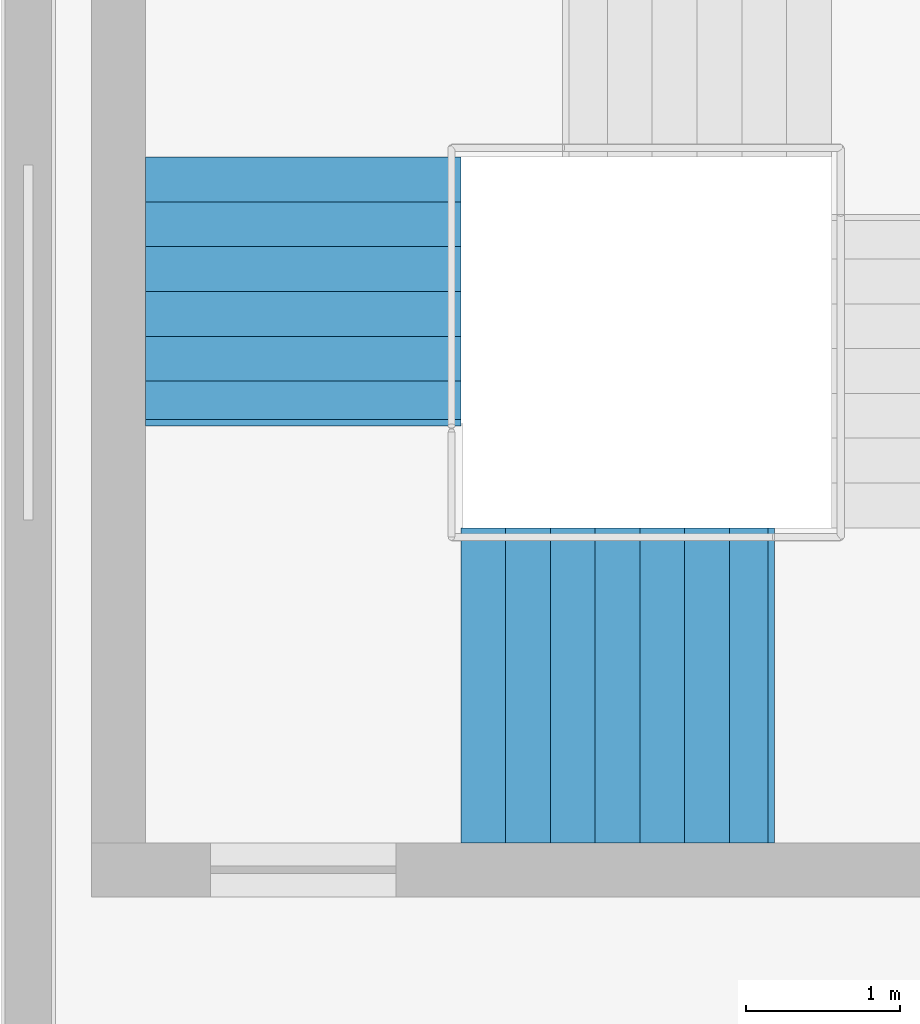
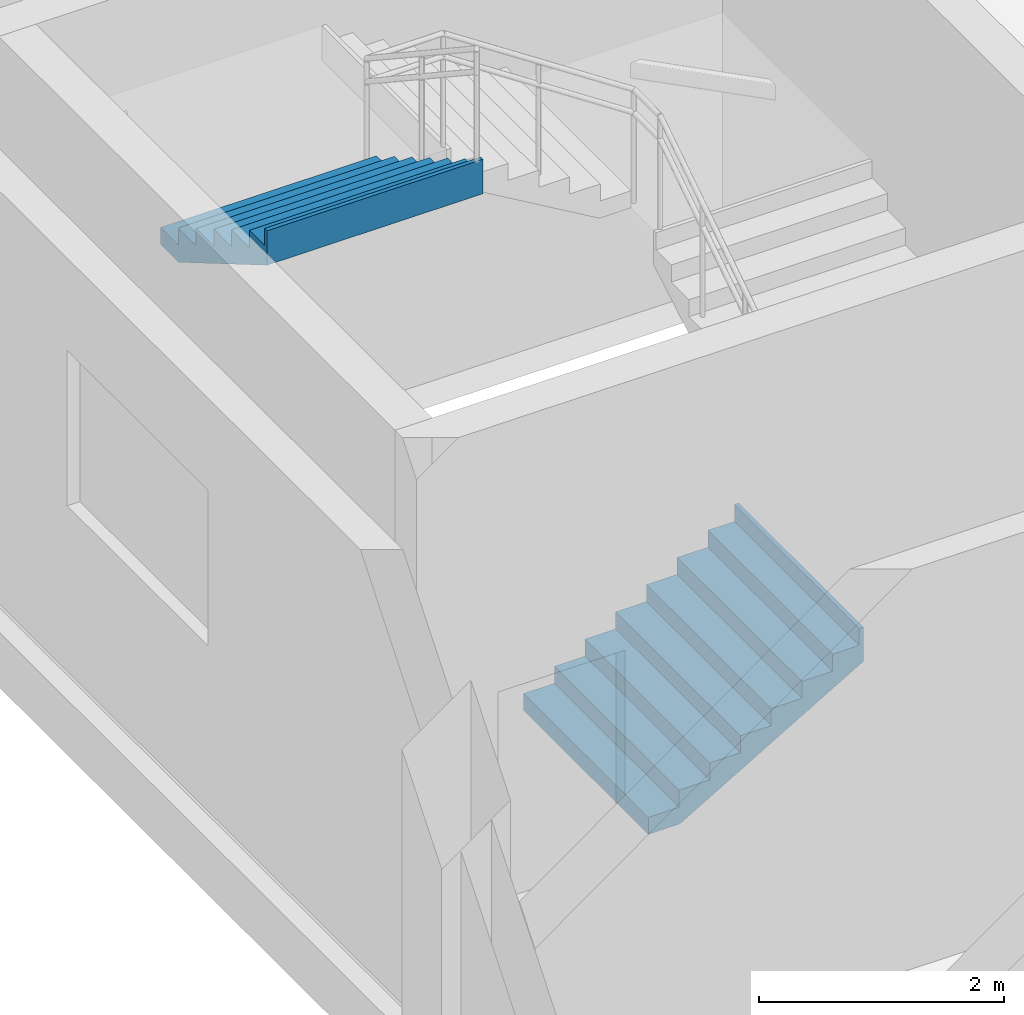
# One storey, part 55 of 66: 2 stair flights, 1 element without a shape of its own.
"""IFC4 building model written with IfcOpenShell, lengths in metres."""

from ifc_helpers import new_model, si_unit, direction, frame, origin, place, context, subcontext, project, spatial, triangles, material, type_object, element, aggregate, save


model = new_model("IFC4")

# Units and contexts
model_context = context("Model", 3, precision=1e-05, world=origin(), true_north=direction((0.0, 1.0)))
body_context = subcontext(model_context, "Body", "Model", "MODEL_VIEW")
ifc_project = project(units=[si_unit("LENGTHUNIT", "METRE"), si_unit("AREAUNIT", "SQUARE_METRE"), si_unit("VOLUMEUNIT", "CUBIC_METRE"), si_unit("PLANEANGLEUNIT", "RADIAN"), si_unit("MASSUNIT", "GRAM", prefix="KILO")], contexts=[model_context])

# Site, building, storey
site_placement = place(None, origin())
site = spatial("IfcSite", under=ifc_project, at=site_placement, CompositionType="ELEMENT")
building_placement = place(site_placement, origin())
building = spatial("IfcBuilding", under=site, at=building_placement, Name="Sillaruma Civic Art Gallery", CompositionType="ELEMENT")
storey_placement = place(building_placement, frame((0.0, 0.0, 57.1201171875)))
storey = spatial("IfcBuildingStorey", under=building, at=storey_placement, Name="L11", CompositionType="ELEMENT", Elevation=57.1201171875)

# Stair, stair flights
ifc_material = material(Name="Concrete H35 (35 MPa)", Category="concrete")
stair_type = type_object("IfcStairType", Name="STR-4F-30", PredefinedType="USERDEFINED", material=ifc_material)
stair_placement = place(storey_placement, origin())
stair = element("IfcStair", 1, at=stair_placement, inside=storey, type_object=stair_type, Name="Protected Exit Stair ST-03 (West Bar South) (L11)", ObjectType="THREE_RETURN_STAIR", PredefinedType="USERDEFINED")
stair_flight_type_1 = type_object("IfcStairFlightType", Name="SFL-STR-7", PredefinedType="STRAIGHT", material=ifc_material)
stair_flight_1_placement = place(storey_placement, frame((63.780029296875, 35.85009765625, 3.909912109375), z_axis=(0.0, 0.0, 1.0), x_axis=(0.0, -1.0, 0.0)))
stair_flight_1 = element("IfcStairFlight", 2, at=stair_flight_1_placement, type_object=stair_flight_type_1, Name="ST-03 flight 4", NumberOfRisers=7, NumberOfTreads=6, PredefinedType="STRAIGHT", RiserHeight=0.17, TreadLength=0.29, context=body_context, shape_type="Tessellation", body=[
    triangles([(0.0, -1.02001953125, 0.0), (0.29, -1.02001953125, 0.0), (0.296404, -1.02001953125, 0.0), (0.58, -1.02001953125, 0.166246), (0.87, -1.02001953125, 0.336246), (1.16, -1.02001953125, 0.506246), (1.45, -1.02001953125, 0.676246), (1.69999, -1.02001953125, 0.822792), (1.73999, -1.02001953125, 0.84624), (1.73999, -1.02001953125, 1.19), (1.69999, -1.02001953125, 1.19), (1.69999, -1.02001953125, 1.02), (1.45, -1.02001953125, 1.02), (1.45, -1.02001953125, 0.85), (1.16, -1.02001953125, 0.85), (1.16, -1.02001953125, 0.68), (0.87, -1.02001953125, 0.68), (0.87, -1.02001953125, 0.51), (0.58, -1.02001953125, 0.51), (0.58, -1.02001953125, 0.34), (0.296404, -1.02001953125, 0.34), (0.29, -1.02001953125, 0.34), (0.29, -1.02001953125, 0.17), (0.0, -1.02001953125, 0.17), (0.0, -0.05, 0.0), (0.29, -0.05, 0.0), (0.296404, -0.05, 0.0), (0.58, -0.05, 0.166246), (0.87, -0.05, 0.336246), (1.16, -0.05, 0.506246), (1.45, -0.05, 0.676246), (1.69999, -0.05, 0.822792), (1.73999, -0.05, 0.84624), (1.73999, -0.05, 1.19), (1.69999, -0.05, 1.19), (1.69999, -0.05, 1.02), (1.45, -0.05, 1.02), (1.45, -0.05, 0.85), (1.16, -0.05, 0.85), (1.16, -0.05, 0.68), (0.87, -0.05, 0.68), (0.87, -0.05, 0.51), (0.58, -0.05, 0.51), (0.58, -0.05, 0.34), (0.296404, -0.05, 0.34), (0.29, -0.05, 0.34), (0.29, -0.05, 0.17), (0.0, -0.05, 0.17), (0.0, -0.0375, 0.0), (0.29, -0.0375, 0.0), (0.296404, -0.0375, 0.0), (0.58, -0.0375, 0.166246), (0.87, -0.0375, 0.336246), (1.16, -0.0375, 0.506246), (1.45, -0.0375, 0.676246), (1.69999, -0.0375, 0.822792), (1.73999, -0.0375, 0.84624), (1.73999, -0.0375, 1.19), (1.69999, -0.0375, 1.19), (1.69999, -0.0375, 1.02), (1.45, -0.0375, 1.02), (1.45, -0.0375, 0.85), (1.16, -0.0375, 0.85), (1.16, -0.0375, 0.68), (0.87, -0.0375, 0.68), (0.87, -0.0375, 0.51), (0.58, -0.0375, 0.51), (0.58, -0.0375, 0.34), (0.296404, -0.0375, 0.34), (0.29, -0.0375, 0.34), (0.29, -0.0375, 0.17), (0.0, -0.0375, 0.17), (0.0, -0.025, 0.0), (0.29, -0.025, 0.0), (0.296404, -0.025, 0.0), (0.58, -0.025, 0.166246), (0.87, -0.025, 0.336246), (1.16, -0.025, 0.506246), (1.45, -0.025, 0.676246), (1.69999, -0.025, 0.822792), (1.73999, -0.025, 0.84624), (1.73999, -0.025, 1.19), (1.69999, -0.025, 1.19), (1.69999, -0.025, 1.02), (1.45, -0.025, 1.02), (1.45, -0.025, 0.85), (1.16, -0.025, 0.85), (1.16, -0.025, 0.68), (0.87, -0.025, 0.68), (0.87, -0.025, 0.51), (0.58, -0.025, 0.51), (0.58, -0.025, 0.34), (0.296404, -0.025, 0.34), (0.29, -0.025, 0.34), (0.29, -0.025, 0.17), (0.0, -0.025, 0.17), (0.0, -0.0125, 0.0), (0.29, -0.0125, 0.0), (0.296404, -0.0125, 0.0), (0.58, -0.0125, 0.166246), (0.87, -0.0125, 0.336246), (1.16, -0.0125, 0.506246), (1.45, -0.0125, 0.676246), (1.69999, -0.0125, 0.822792), (1.73999, -0.0125, 0.84624), (1.73999, -0.0125, 1.19), (1.69999, -0.0125, 1.19), (1.69999, -0.0125, 1.02), (1.45, -0.0125, 1.02), (1.45, -0.0125, 0.85), (1.16, -0.0125, 0.85), (1.16, -0.0125, 0.68), (0.87, -0.0125, 0.68), (0.87, -0.0125, 0.51), (0.58, -0.0125, 0.51), (0.58, -0.0125, 0.34), (0.296404, -0.0125, 0.34), (0.29, -0.0125, 0.34), (0.29, -0.0125, 0.17), (0.0, -0.0125, 0.17), (0.0, 0.0, 0.0), (0.29, 0.0, 0.0), (0.296404, 0.0, 0.0), (0.58, 0.0, 0.166246), (0.87, 0.0, 0.336246), (1.16, 0.0, 0.506246), (1.45, 0.0, 0.676246), (1.69999, 0.0, 0.822792), (1.73999, 0.0, 0.84624), (1.73999, 0.0, 1.19), (1.69999, 0.0, 1.19), (1.69999, 0.0, 1.02), (1.45, 0.0, 1.02), (1.45, 0.0, 0.85), (1.16, 0.0, 0.85), (1.16, 0.0, 0.68), (0.87, 0.0, 0.68), (0.87, 0.0, 0.51), (0.58, 0.0, 0.51), (0.58, 0.0, 0.34), (0.296404, 0.0, 0.34), (0.29, 0.0, 0.34), (0.29, 0.0, 0.17), (0.0, 0.0, 0.17), (0.0, 0.0125, 0.0), (0.29, 0.0125, 0.0), (0.296404, 0.0125, 0.0), (0.58, 0.0125, 0.166246), (0.87, 0.0125, 0.336246), (1.16, 0.0125, 0.506246), (1.45, 0.0125, 0.676246), (1.69999, 0.0125, 0.822792), (1.73999, 0.0125, 0.84624), (1.73999, 0.0125, 1.19), (1.69999, 0.0125, 1.19), (1.69999, 0.0125, 1.02), (1.45, 0.0125, 1.02), (1.45, 0.0125, 0.85), (1.16, 0.0125, 0.85), (1.16, 0.0125, 0.68), (0.87, 0.0125, 0.68), (0.87, 0.0125, 0.51), (0.58, 0.0125, 0.51), (0.58, 0.0125, 0.34), (0.296404, 0.0125, 0.34), (0.29, 0.0125, 0.34), (0.29, 0.0125, 0.17), (0.0, 0.0125, 0.17), (0.0, 0.025, 0.0), (0.29, 0.025, 0.0), (0.296404, 0.025, 0.0), (0.58, 0.025, 0.166246), (0.87, 0.025, 0.336246), (1.16, 0.025, 0.506246), (1.45, 0.025, 0.676246), (1.69999, 0.025, 0.822792), (1.73999, 0.025, 0.84624), (1.73999, 0.025, 1.19), (1.69999, 0.025, 1.19), (1.69999, 0.025, 1.02), (1.45, 0.025, 1.02), (1.45, 0.025, 0.85), (1.16, 0.025, 0.85), (1.16, 0.025, 0.68), (0.87, 0.025, 0.68), (0.87, 0.025, 0.51), (0.58, 0.025, 0.51), (0.58, 0.025, 0.34), (0.296404, 0.025, 0.34), (0.29, 0.025, 0.34), (0.29, 0.025, 0.17), (0.0, 0.025, 0.17), (0.0, 0.0375, 0.0), (0.29, 0.0375, 0.0), (0.296404, 0.0375, 0.0), (0.58, 0.0375, 0.166246), (0.87, 0.0375, 0.336246), (1.16, 0.0375, 0.506246), (1.45, 0.0375, 0.676246), (1.69999, 0.0375, 0.822792), (1.73999, 0.0375, 0.84624), (1.73999, 0.0375, 1.19), (1.69999, 0.0375, 1.19), (1.69999, 0.0375, 1.02), (1.45, 0.0375, 1.02), (1.45, 0.0375, 0.85), (1.16, 0.0375, 0.85), (1.16, 0.0375, 0.68), (0.87, 0.0375, 0.68), (0.87, 0.0375, 0.51), (0.58, 0.0375, 0.51), (0.58, 0.0375, 0.34), (0.296404, 0.0375, 0.34), (0.29, 0.0375, 0.34), (0.29, 0.0375, 0.17), (0.0, 0.0375, 0.17), (0.0, 0.05, 0.0), (0.29, 0.05, 0.0), (0.296404, 0.05, 0.0), (0.58, 0.05, 0.166246), (0.87, 0.05, 0.336246), (1.16, 0.05, 0.506246), (1.45, 0.05, 0.676246), (1.69999, 0.05, 0.822792), (1.73999, 0.05, 0.84624), (1.73999, 0.05, 1.19), (1.69999, 0.05, 1.19), (1.69999, 0.05, 1.02), (1.45, 0.05, 1.02), (1.45, 0.05, 0.85), (1.16, 0.05, 0.85), (1.16, 0.05, 0.68), (0.87, 0.05, 0.68), (0.87, 0.05, 0.51), (0.58, 0.05, 0.51), (0.58, 0.05, 0.34), (0.296404, 0.05, 0.34), (0.29, 0.05, 0.34), (0.29, 0.05, 0.17), (0.0, 0.05, 0.17), (0.0, 1.02001953125, 0.0), (0.29, 1.02001953125, 0.0), (0.296404, 1.02001953125, 0.0), (0.58, 1.02001953125, 0.166246), (0.87, 1.02001953125, 0.336246), (1.16, 1.02001953125, 0.506246), (1.45, 1.02001953125, 0.676246), (1.69999, 1.02001953125, 0.822792), (1.73999, 1.02001953125, 0.84624), (1.73999, 1.02001953125, 1.19), (1.69999, 1.02001953125, 1.19), (1.69999, 1.02001953125, 1.02), (1.45, 1.02001953125, 1.02), (1.45, 1.02001953125, 0.85), (1.16, 1.02001953125, 0.85), (1.16, 1.02001953125, 0.68), (0.87, 1.02001953125, 0.68), (0.87, 1.02001953125, 0.51), (0.58, 1.02001953125, 0.51), (0.58, 1.02001953125, 0.34), (0.296404, 1.02001953125, 0.34), (0.29, 1.02001953125, 0.34), (0.29, 1.02001953125, 0.17), (0.0, 1.02001953125, 0.17)], [[1, 2, 23], [1, 23, 24], [2, 3, 21], [2, 21, 23], [23, 21, 22], [3, 4, 20], [3, 20, 21], [4, 5, 18], [4, 18, 20], [20, 18, 19], [5, 6, 16], [5, 16, 18], [18, 16, 17], [6, 7, 14], [6, 14, 16], [16, 14, 15], [7, 8, 12], [7, 12, 14], [14, 12, 13], [8, 9, 10], [8, 10, 12], [12, 10, 11], [263, 242, 241], [264, 263, 241], [261, 243, 242], [263, 261, 242], [262, 261, 263], [260, 244, 243], [261, 260, 243], [258, 245, 244], [260, 258, 244], [259, 258, 260], [256, 246, 245], [258, 256, 245], [257, 256, 258], [254, 247, 246], [256, 254, 246], [255, 254, 256], [252, 248, 247], [254, 252, 247], [253, 252, 254], [250, 249, 248], [252, 250, 248], [251, 250, 252], [2, 1, 25], [2, 25, 26], [3, 2, 26], [3, 26, 27], [4, 3, 27], [4, 27, 28], [5, 4, 28], [5, 28, 29], [6, 5, 29], [6, 29, 30], [7, 6, 30], [7, 30, 31], [8, 7, 31], [8, 31, 32], [9, 8, 32], [9, 32, 33], [10, 9, 33], [10, 33, 34], [11, 10, 34], [11, 34, 35], [12, 11, 35], [12, 35, 36], [13, 12, 36], [13, 36, 37], [14, 13, 37], [14, 37, 38], [15, 14, 38], [15, 38, 39], [16, 15, 39], [16, 39, 40], [17, 16, 40], [17, 40, 41], [18, 17, 41], [18, 41, 42], [19, 18, 42], [19, 42, 43], [20, 19, 43], [20, 43, 44], [21, 20, 44], [21, 44, 45], [22, 21, 45], [22, 45, 46], [23, 22, 46], [23, 46, 47], [24, 23, 47], [24, 47, 48], [1, 24, 48], [1, 48, 25], [26, 25, 49], [26, 49, 50], [27, 26, 50], [27, 50, 51], [28, 27, 51], [28, 51, 52], [29, 28, 52], [29, 52, 53], [30, 29, 53], [30, 53, 54], [31, 30, 54], [31, 54, 55], [32, 31, 55], [32, 55, 56], [33, 32, 56], [33, 56, 57], [34, 33, 57], [34, 57, 58], [35, 34, 58], [35, 58, 59], [36, 35, 59], [36, 59, 60], [37, 36, 60], [37, 60, 61], [38, 37, 61], [38, 61, 62], [39, 38, 62], [39, 62, 63], [40, 39, 63], [40, 63, 64], [41, 40, 64], [41, 64, 65], [42, 41, 65], [42, 65, 66], [43, 42, 66], [43, 66, 67], [44, 43, 67], [44, 67, 68], [45, 44, 68], [45, 68, 69], [46, 45, 69], [46, 69, 70], [47, 46, 70], [47, 70, 71], [48, 47, 71], [48, 71, 72], [25, 48, 72], [25, 72, 49], [50, 49, 73], [50, 73, 74], [51, 50, 74], [51, 74, 75], [52, 51, 75], [52, 75, 76], [53, 52, 76], [53, 76, 77], [54, 53, 77], [54, 77, 78], [55, 54, 78], [55, 78, 79], [56, 55, 79], [56, 79, 80], [57, 56, 80], [57, 80, 81], [58, 57, 81], [58, 81, 82], [59, 58, 82], [59, 82, 83], [60, 59, 83], [60, 83, 84], [61, 60, 84], [61, 84, 85], [62, 61, 85], [62, 85, 86], [63, 62, 86], [63, 86, 87], [64, 63, 87], [64, 87, 88], [65, 64, 88], [65, 88, 89], [66, 65, 89], [66, 89, 90], [67, 66, 90], [67, 90, 91], [68, 67, 91], [68, 91, 92], [69, 68, 92], [69, 92, 93], [70, 69, 93], [70, 93, 94], [71, 70, 94], [71, 94, 95], [72, 71, 95], [72, 95, 96], [49, 72, 96], [49, 96, 73], [74, 73, 97], [74, 97, 98], [75, 74, 98], [75, 98, 99], [76, 75, 99], [76, 99, 100], [77, 76, 100], [77, 100, 101], [78, 77, 101], [78, 101, 102], [79, 78, 102], [79, 102, 103], [80, 79, 103], [80, 103, 104], [81, 80, 104], [81, 104, 105], [82, 81, 105], [82, 105, 106], [83, 82, 106], [83, 106, 107], [84, 83, 107], [84, 107, 108], [85, 84, 108], [85, 108, 109], [86, 85, 109], [86, 109, 110], [87, 86, 110], [87, 110, 111], [88, 87, 111], [88, 111, 112], [89, 88, 112], [89, 112, 113], [90, 89, 113], [90, 113, 114], [91, 90, 114], [91, 114, 115], [92, 91, 115], [92, 115, 116], [93, 92, 116], [93, 116, 117], [94, 93, 117], [94, 117, 118], [95, 94, 118], [95, 118, 119], [96, 95, 119], [96, 119, 120], [73, 96, 120], [73, 120, 97], [98, 97, 121], [98, 121, 122], [99, 98, 122], [99, 122, 123], [100, 99, 123], [100, 123, 124], [101, 100, 124], [101, 124, 125], [102, 101, 125], [102, 125, 126], [103, 102, 126], [103, 126, 127], [104, 103, 127], [104, 127, 128], [105, 104, 128], [105, 128, 129], [106, 105, 129], [106, 129, 130], [107, 106, 130], [107, 130, 131], [108, 107, 131], [108, 131, 132], [109, 108, 132], [109, 132, 133], [110, 109, 133], [110, 133, 134], [111, 110, 134], [111, 134, 135], [112, 111, 135], [112, 135, 136], [113, 112, 136], [113, 136, 137], [114, 113, 137], [114, 137, 138], [115, 114, 138], [115, 138, 139], [116, 115, 139], [116, 139, 140], [117, 116, 140], [117, 140, 141], [118, 117, 141], [118, 141, 142], [119, 118, 142], [119, 142, 143], [120, 119, 143], [120, 143, 144], [97, 120, 144], [97, 144, 121], [122, 121, 145], [122, 145, 146], [123, 122, 146], [123, 146, 147], [124, 123, 147], [124, 147, 148], [125, 124, 148], [125, 148, 149], [126, 125, 149], [126, 149, 150], [127, 126, 150], [127, 150, 151], [128, 127, 151], [128, 151, 152], [129, 128, 152], [129, 152, 153], [130, 129, 153], [130, 153, 154], [131, 130, 154], [131, 154, 155], [132, 131, 155], [132, 155, 156], [133, 132, 156], [133, 156, 157], [134, 133, 157], [134, 157, 158], [135, 134, 158], [135, 158, 159], [136, 135, 159], [136, 159, 160], [137, 136, 160], [137, 160, 161], [138, 137, 161], [138, 161, 162], [139, 138, 162], [139, 162, 163], [140, 139, 163], [140, 163, 164], [141, 140, 164], [141, 164, 165], [142, 141, 165], [142, 165, 166], [143, 142, 166], [143, 166, 167], [144, 143, 167], [144, 167, 168], [121, 144, 168], [121, 168, 145], [146, 145, 169], [146, 169, 170], [147, 146, 170], [147, 170, 171], [148, 147, 171], [148, 171, 172], [149, 148, 172], [149, 172, 173], [150, 149, 173], [150, 173, 174], [151, 150, 174], [151, 174, 175], [152, 151, 175], [152, 175, 176], [153, 152, 176], [153, 176, 177], [154, 153, 177], [154, 177, 178], [155, 154, 178], [155, 178, 179], [156, 155, 179], [156, 179, 180], [157, 156, 180], [157, 180, 181], [158, 157, 181], [158, 181, 182], [159, 158, 182], [159, 182, 183], [160, 159, 183], [160, 183, 184], [161, 160, 184], [161, 184, 185], [162, 161, 185], [162, 185, 186], [163, 162, 186], [163, 186, 187], [164, 163, 187], [164, 187, 188], [165, 164, 188], [165, 188, 189], [166, 165, 189], [166, 189, 190], [167, 166, 190], [167, 190, 191], [168, 167, 191], [168, 191, 192], [145, 168, 192], [145, 192, 169], [170, 169, 193], [170, 193, 194], [171, 170, 194], [171, 194, 195], [172, 171, 195], [172, 195, 196], [173, 172, 196], [173, 196, 197], [174, 173, 197], [174, 197, 198], [175, 174, 198], [175, 198, 199], [176, 175, 199], [176, 199, 200], [177, 176, 200], [177, 200, 201], [178, 177, 201], [178, 201, 202], [179, 178, 202], [179, 202, 203], [180, 179, 203], [180, 203, 204], [181, 180, 204], [181, 204, 205], [182, 181, 205], [182, 205, 206], [183, 182, 206], [183, 206, 207], [184, 183, 207], [184, 207, 208], [185, 184, 208], [185, 208, 209], [186, 185, 209], [186, 209, 210], [187, 186, 210], [187, 210, 211], [188, 187, 211], [188, 211, 212], [189, 188, 212], [189, 212, 213], [190, 189, 213], [190, 213, 214], [191, 190, 214], [191, 214, 215], [192, 191, 215], [192, 215, 216], [169, 192, 216], [169, 216, 193], [194, 193, 217], [194, 217, 218], [195, 194, 218], [195, 218, 219], [196, 195, 219], [196, 219, 220], [197, 196, 220], [197, 220, 221], [198, 197, 221], [198, 221, 222], [199, 198, 222], [199, 222, 223], [200, 199, 223], [200, 223, 224], [201, 200, 224], [201, 224, 225], [202, 201, 225], [202, 225, 226], [203, 202, 226], [203, 226, 227], [204, 203, 227], [204, 227, 228], [205, 204, 228], [205, 228, 229], [206, 205, 229], [206, 229, 230], [207, 206, 230], [207, 230, 231], [208, 207, 231], [208, 231, 232], [209, 208, 232], [209, 232, 233], [210, 209, 233], [210, 233, 234], [211, 210, 234], [211, 234, 235], [212, 211, 235], [212, 235, 236], [213, 212, 236], [213, 236, 237], [214, 213, 237], [214, 237, 238], [215, 214, 238], [215, 238, 239], [216, 215, 239], [216, 239, 240], [193, 216, 240], [193, 240, 217], [218, 217, 241], [218, 241, 242], [219, 218, 242], [219, 242, 243], [220, 219, 243], [220, 243, 244], [221, 220, 244], [221, 244, 245], [222, 221, 245], [222, 245, 246], [223, 222, 246], [223, 246, 247], [224, 223, 247], [224, 247, 248], [225, 224, 248], [225, 248, 249], [226, 225, 249], [226, 249, 250], [227, 226, 250], [227, 250, 251], [228, 227, 251], [228, 251, 252], [229, 228, 252], [229, 252, 253], [230, 229, 253], [230, 253, 254], [231, 230, 254], [231, 254, 255], [232, 231, 255], [232, 255, 256], [233, 232, 256], [233, 256, 257], [234, 233, 257], [234, 257, 258], [235, 234, 258], [235, 258, 259], [236, 235, 259], [236, 259, 260], [237, 236, 260], [237, 260, 261], [238, 237, 261], [238, 261, 262], [239, 238, 262], [239, 262, 263], [240, 239, 263], [240, 263, 264], [217, 240, 264], [217, 264, 241]], closed=True),
])
stair_flight_type_2 = type_object("IfcStairFlightType", Name="SFL-STR-8", PredefinedType="STRAIGHT", material=ifc_material)
stair_flight_2_placement = place(storey_placement, frame((64.800048828125, 32.429931640625, 0.0), z_axis=(0.0, 0.0, 1.0), x_axis=(1.0, 0.0, 0.0)))
stair_flight_2 = element("IfcStairFlight", 3, at=stair_flight_2_placement, type_object=stair_flight_type_2, Name="ST-03 flight 1", NumberOfRisers=8, NumberOfTreads=7, PredefinedType="STRAIGHT", RiserHeight=0.17, TreadLength=0.29, context=body_context, shape_type="Tessellation", body=[
    triangles([(0.0, -1.02001953125, 0.0), (0.29, -1.02001953125, 0.0), (0.296443, -1.02001953125, 0.0), (0.58, -1.02001953125, 0.166223), (0.87, -1.02001953125, 0.336223), (1.16, -1.02001953125, 0.506223), (1.45, -1.02001953125, 0.676223), (1.74, -1.02001953125, 0.846223), (1.990029, -1.02001953125, 0.992792), (2.030029, -1.02001953125, 1.01624), (2.030029, -1.02001953125, 1.36), (1.990029, -1.02001953125, 1.36), (1.990029, -1.02001953125, 1.19), (1.74, -1.02001953125, 1.19), (1.74, -1.02001953125, 1.02), (1.45, -1.02001953125, 1.02), (1.45, -1.02001953125, 0.85), (1.16, -1.02001953125, 0.85), (1.16, -1.02001953125, 0.68), (0.87, -1.02001953125, 0.68), (0.87, -1.02001953125, 0.51), (0.58, -1.02001953125, 0.51), (0.58, -1.02001953125, 0.34), (0.296443, -1.02001953125, 0.34), (0.29, -1.02001953125, 0.34), (0.29, -1.02001953125, 0.17), (0.0, -1.02001953125, 0.17), (0.0, -0.05, 0.0), (0.29, -0.05, 0.0), (0.296443, -0.05, 0.0), (0.58, -0.05, 0.166223), (0.87, -0.05, 0.336223), (1.16, -0.05, 0.506223), (1.45, -0.05, 0.676223), (1.74, -0.05, 0.846223), (1.990029, -0.05, 0.992792), (2.030029, -0.05, 1.01624), (2.030029, -0.05, 1.36), (1.990029, -0.05, 1.36), (1.990029, -0.05, 1.19), (1.74, -0.05, 1.19), (1.74, -0.05, 1.02), (1.45, -0.05, 1.02), (1.45, -0.05, 0.85), (1.16, -0.05, 0.85), (1.16, -0.05, 0.68), (0.87, -0.05, 0.68), (0.87, -0.05, 0.51), (0.58, -0.05, 0.51), (0.58, -0.05, 0.34), (0.296443, -0.05, 0.34), (0.29, -0.05, 0.34), (0.29, -0.05, 0.17), (0.0, -0.05, 0.17), (0.0, -0.0375, 0.0), (0.29, -0.0375, 0.0), (0.296443, -0.0375, 0.0), (0.58, -0.0375, 0.166223), (0.87, -0.0375, 0.336223), (1.16, -0.0375, 0.506223), (1.45, -0.0375, 0.676223), (1.74, -0.0375, 0.846223), (1.990029, -0.0375, 0.992792), (2.030029, -0.0375, 1.01624), (2.030029, -0.0375, 1.36), (1.990029, -0.0375, 1.36), (1.990029, -0.0375, 1.19), (1.74, -0.0375, 1.19), (1.74, -0.0375, 1.02), (1.45, -0.0375, 1.02), (1.45, -0.0375, 0.85), (1.16, -0.0375, 0.85), (1.16, -0.0375, 0.68), (0.87, -0.0375, 0.68), (0.87, -0.0375, 0.51), (0.58, -0.0375, 0.51), (0.58, -0.0375, 0.34), (0.296443, -0.0375, 0.34), (0.29, -0.0375, 0.34), (0.29, -0.0375, 0.17), (0.0, -0.0375, 0.17), (0.0, -0.025, 0.0), (0.29, -0.025, 0.0), (0.296443, -0.025, 0.0), (0.58, -0.025, 0.166223), (0.87, -0.025, 0.336223), (1.16, -0.025, 0.506223), (1.45, -0.025, 0.676223), (1.74, -0.025, 0.846223), (1.990029, -0.025, 0.992792), (2.030029, -0.025, 1.01624), (2.030029, -0.025, 1.36), (1.990029, -0.025, 1.36), (1.990029, -0.025, 1.19), (1.74, -0.025, 1.19), (1.74, -0.025, 1.02), (1.45, -0.025, 1.02), (1.45, -0.025, 0.85), (1.16, -0.025, 0.85), (1.16, -0.025, 0.68), (0.87, -0.025, 0.68), (0.87, -0.025, 0.51), (0.58, -0.025, 0.51), (0.58, -0.025, 0.34), (0.296443, -0.025, 0.34), (0.29, -0.025, 0.34), (0.29, -0.025, 0.17), (0.0, -0.025, 0.17), (0.0, -0.0125, 0.0), (0.29, -0.0125, 0.0), (0.296443, -0.0125, 0.0), (0.58, -0.0125, 0.166223), (0.87, -0.0125, 0.336223), (1.16, -0.0125, 0.506223), (1.45, -0.0125, 0.676223), (1.74, -0.0125, 0.846223), (1.990029, -0.0125, 0.992792), (2.030029, -0.0125, 1.01624), (2.030029, -0.0125, 1.36), (1.990029, -0.0125, 1.36), (1.990029, -0.0125, 1.19), (1.74, -0.0125, 1.19), (1.74, -0.0125, 1.02), (1.45, -0.0125, 1.02), (1.45, -0.0125, 0.85), (1.16, -0.0125, 0.85), (1.16, -0.0125, 0.68), (0.87, -0.0125, 0.68), (0.87, -0.0125, 0.51), (0.58, -0.0125, 0.51), (0.58, -0.0125, 0.34), (0.296443, -0.0125, 0.34), (0.29, -0.0125, 0.34), (0.29, -0.0125, 0.17), (0.0, -0.0125, 0.17), (0.0, 0.0, 0.0), (0.29, 0.0, 0.0), (0.296443, 0.0, 0.0), (0.58, 0.0, 0.166223), (0.87, 0.0, 0.336223), (1.16, 0.0, 0.506223), (1.45, 0.0, 0.676223), (1.74, 0.0, 0.846223), (1.990029, 0.0, 0.992792), (2.030029, 0.0, 1.01624), (2.030029, 0.0, 1.36), (1.990029, 0.0, 1.36), (1.990029, 0.0, 1.19), (1.74, 0.0, 1.19), (1.74, 0.0, 1.02), (1.45, 0.0, 1.02), (1.45, 0.0, 0.85), (1.16, 0.0, 0.85), (1.16, 0.0, 0.68), (0.87, 0.0, 0.68), (0.87, 0.0, 0.51), (0.58, 0.0, 0.51), (0.58, 0.0, 0.34), (0.296443, 0.0, 0.34), (0.29, 0.0, 0.34), (0.29, 0.0, 0.17), (0.0, 0.0, 0.17), (0.0, 0.0125, 0.0), (0.29, 0.0125, 0.0), (0.296443, 0.0125, 0.0), (0.58, 0.0125, 0.166223), (0.87, 0.0125, 0.336223), (1.16, 0.0125, 0.506223), (1.45, 0.0125, 0.676223), (1.74, 0.0125, 0.846223), (1.990029, 0.0125, 0.992792), (2.030029, 0.0125, 1.01624), (2.030029, 0.0125, 1.36), (1.990029, 0.0125, 1.36), (1.990029, 0.0125, 1.19), (1.74, 0.0125, 1.19), (1.74, 0.0125, 1.02), (1.45, 0.0125, 1.02), (1.45, 0.0125, 0.85), (1.16, 0.0125, 0.85), (1.16, 0.0125, 0.68), (0.87, 0.0125, 0.68), (0.87, 0.0125, 0.51), (0.58, 0.0125, 0.51), (0.58, 0.0125, 0.34), (0.296443, 0.0125, 0.34), (0.29, 0.0125, 0.34), (0.29, 0.0125, 0.17), (0.0, 0.0125, 0.17), (0.0, 0.025, 0.0), (0.29, 0.025, 0.0), (0.296443, 0.025, 0.0), (0.58, 0.025, 0.166223), (0.87, 0.025, 0.336223), (1.16, 0.025, 0.506223), (1.45, 0.025, 0.676223), (1.74, 0.025, 0.846223), (1.990029, 0.025, 0.992792), (2.030029, 0.025, 1.01624), (2.030029, 0.025, 1.36), (1.990029, 0.025, 1.36), (1.990029, 0.025, 1.19), (1.74, 0.025, 1.19), (1.74, 0.025, 1.02), (1.45, 0.025, 1.02), (1.45, 0.025, 0.85), (1.16, 0.025, 0.85), (1.16, 0.025, 0.68), (0.87, 0.025, 0.68), (0.87, 0.025, 0.51), (0.58, 0.025, 0.51), (0.58, 0.025, 0.34), (0.296443, 0.025, 0.34), (0.29, 0.025, 0.34), (0.29, 0.025, 0.17), (0.0, 0.025, 0.17), (0.0, 0.0375, 0.0), (0.29, 0.0375, 0.0), (0.296443, 0.0375, 0.0), (0.58, 0.0375, 0.166223), (0.87, 0.0375, 0.336223), (1.16, 0.0375, 0.506223), (1.45, 0.0375, 0.676223), (1.74, 0.0375, 0.846223), (1.990029, 0.0375, 0.992792), (2.030029, 0.0375, 1.01624), (2.030029, 0.0375, 1.36), (1.990029, 0.0375, 1.36), (1.990029, 0.0375, 1.19), (1.74, 0.0375, 1.19), (1.74, 0.0375, 1.02), (1.45, 0.0375, 1.02), (1.45, 0.0375, 0.85), (1.16, 0.0375, 0.85), (1.16, 0.0375, 0.68), (0.87, 0.0375, 0.68), (0.87, 0.0375, 0.51), (0.58, 0.0375, 0.51), (0.58, 0.0375, 0.34), (0.296443, 0.0375, 0.34), (0.29, 0.0375, 0.34), (0.29, 0.0375, 0.17), (0.0, 0.0375, 0.17), (0.0, 0.05, 0.0), (0.29, 0.05, 0.0), (0.296443, 0.05, 0.0), (0.58, 0.05, 0.166223), (0.87, 0.05, 0.336223), (1.16, 0.05, 0.506223), (1.45, 0.05, 0.676223), (1.74, 0.05, 0.846223), (1.990029, 0.05, 0.992792), (2.030029, 0.05, 1.01624), (2.030029, 0.05, 1.36), (1.990029, 0.05, 1.36), (1.990029, 0.05, 1.19), (1.74, 0.05, 1.19), (1.74, 0.05, 1.02), (1.45, 0.05, 1.02), (1.45, 0.05, 0.85), (1.16, 0.05, 0.85), (1.16, 0.05, 0.68), (0.87, 0.05, 0.68), (0.87, 0.05, 0.51), (0.58, 0.05, 0.51), (0.58, 0.05, 0.34), (0.296443, 0.05, 0.34), (0.29, 0.05, 0.34), (0.29, 0.05, 0.17), (0.0, 0.05, 0.17), (0.0, 1.02001953125, 0.0), (0.29, 1.02001953125, 0.0), (0.296443, 1.02001953125, 0.0), (0.58, 1.02001953125, 0.166223), (0.87, 1.02001953125, 0.336223), (1.16, 1.02001953125, 0.506223), (1.45, 1.02001953125, 0.676223), (1.74, 1.02001953125, 0.846223), (1.990029, 1.02001953125, 0.992792), (2.030029, 1.02001953125, 1.01624), (2.030029, 1.02001953125, 1.36), (1.990029, 1.02001953125, 1.36), (1.990029, 1.02001953125, 1.19), (1.74, 1.02001953125, 1.19), (1.74, 1.02001953125, 1.02), (1.45, 1.02001953125, 1.02), (1.45, 1.02001953125, 0.85), (1.16, 1.02001953125, 0.85), (1.16, 1.02001953125, 0.68), (0.87, 1.02001953125, 0.68), (0.87, 1.02001953125, 0.51), (0.58, 1.02001953125, 0.51), (0.58, 1.02001953125, 0.34), (0.296443, 1.02001953125, 0.34), (0.29, 1.02001953125, 0.34), (0.29, 1.02001953125, 0.17), (0.0, 1.02001953125, 0.17)], [[1, 2, 26], [1, 26, 27], [2, 3, 24], [2, 24, 26], [26, 24, 25], [3, 4, 23], [3, 23, 24], [4, 5, 21], [4, 21, 23], [23, 21, 22], [5, 6, 19], [5, 19, 21], [21, 19, 20], [6, 7, 17], [6, 17, 19], [19, 17, 18], [7, 8, 15], [7, 15, 17], [17, 15, 16], [8, 9, 13], [8, 13, 15], [15, 13, 14], [9, 10, 11], [9, 11, 13], [13, 11, 12], [296, 272, 271], [297, 296, 271], [294, 273, 272], [296, 294, 272], [295, 294, 296], [293, 274, 273], [294, 293, 273], [291, 275, 274], [293, 291, 274], [292, 291, 293], [289, 276, 275], [291, 289, 275], [290, 289, 291], [287, 277, 276], [289, 287, 276], [288, 287, 289], [285, 278, 277], [287, 285, 277], [286, 285, 287], [283, 279, 278], [285, 283, 278], [284, 283, 285], [281, 280, 279], [283, 281, 279], [282, 281, 283], [2, 1, 28], [2, 28, 29], [3, 2, 29], [3, 29, 30], [4, 3, 30], [4, 30, 31], [5, 4, 31], [5, 31, 32], [6, 5, 32], [6, 32, 33], [7, 6, 33], [7, 33, 34], [8, 7, 34], [8, 34, 35], [9, 8, 35], [9, 35, 36], [10, 9, 36], [10, 36, 37], [11, 10, 37], [11, 37, 38], [12, 11, 38], [12, 38, 39], [13, 12, 39], [13, 39, 40], [14, 13, 40], [14, 40, 41], [15, 14, 41], [15, 41, 42], [16, 15, 42], [16, 42, 43], [17, 16, 43], [17, 43, 44], [18, 17, 44], [18, 44, 45], [19, 18, 45], [19, 45, 46], [20, 19, 46], [20, 46, 47], [21, 20, 47], [21, 47, 48], [22, 21, 48], [22, 48, 49], [23, 22, 49], [23, 49, 50], [24, 23, 50], [24, 50, 51], [25, 24, 51], [25, 51, 52], [26, 25, 52], [26, 52, 53], [27, 26, 53], [27, 53, 54], [1, 27, 54], [1, 54, 28], [29, 28, 55], [29, 55, 56], [30, 29, 56], [30, 56, 57], [31, 30, 57], [31, 57, 58], [32, 31, 58], [32, 58, 59], [33, 32, 59], [33, 59, 60], [34, 33, 60], [34, 60, 61], [35, 34, 61], [35, 61, 62], [36, 35, 62], [36, 62, 63], [37, 36, 63], [37, 63, 64], [38, 37, 64], [38, 64, 65], [39, 38, 65], [39, 65, 66], [40, 39, 66], [40, 66, 67], [41, 40, 67], [41, 67, 68], [42, 41, 68], [42, 68, 69], [43, 42, 69], [43, 69, 70], [44, 43, 70], [44, 70, 71], [45, 44, 71], [45, 71, 72], [46, 45, 72], [46, 72, 73], [47, 46, 73], [47, 73, 74], [48, 47, 74], [48, 74, 75], [49, 48, 75], [49, 75, 76], [50, 49, 76], [50, 76, 77], [51, 50, 77], [51, 77, 78], [52, 51, 78], [52, 78, 79], [53, 52, 79], [53, 79, 80], [54, 53, 80], [54, 80, 81], [28, 54, 81], [28, 81, 55], [56, 55, 82], [56, 82, 83], [57, 56, 83], [57, 83, 84], [58, 57, 84], [58, 84, 85], [59, 58, 85], [59, 85, 86], [60, 59, 86], [60, 86, 87], [61, 60, 87], [61, 87, 88], [62, 61, 88], [62, 88, 89], [63, 62, 89], [63, 89, 90], [64, 63, 90], [64, 90, 91], [65, 64, 91], [65, 91, 92], [66, 65, 92], [66, 92, 93], [67, 66, 93], [67, 93, 94], [68, 67, 94], [68, 94, 95], [69, 68, 95], [69, 95, 96], [70, 69, 96], [70, 96, 97], [71, 70, 97], [71, 97, 98], [72, 71, 98], [72, 98, 99], [73, 72, 99], [73, 99, 100], [74, 73, 100], [74, 100, 101], [75, 74, 101], [75, 101, 102], [76, 75, 102], [76, 102, 103], [77, 76, 103], [77, 103, 104], [78, 77, 104], [78, 104, 105], [79, 78, 105], [79, 105, 106], [80, 79, 106], [80, 106, 107], [81, 80, 107], [81, 107, 108], [55, 81, 108], [55, 108, 82], [83, 82, 109], [83, 109, 110], [84, 83, 110], [84, 110, 111], [85, 84, 111], [85, 111, 112], [86, 85, 112], [86, 112, 113], [87, 86, 113], [87, 113, 114], [88, 87, 114], [88, 114, 115], [89, 88, 115], [89, 115, 116], [90, 89, 116], [90, 116, 117], [91, 90, 117], [91, 117, 118], [92, 91, 118], [92, 118, 119], [93, 92, 119], [93, 119, 120], [94, 93, 120], [94, 120, 121], [95, 94, 121], [95, 121, 122], [96, 95, 122], [96, 122, 123], [97, 96, 123], [97, 123, 124], [98, 97, 124], [98, 124, 125], [99, 98, 125], [99, 125, 126], [100, 99, 126], [100, 126, 127], [101, 100, 127], [101, 127, 128], [102, 101, 128], [102, 128, 129], [103, 102, 129], [103, 129, 130], [104, 103, 130], [104, 130, 131], [105, 104, 131], [105, 131, 132], [106, 105, 132], [106, 132, 133], [107, 106, 133], [107, 133, 134], [108, 107, 134], [108, 134, 135], [82, 108, 135], [82, 135, 109], [110, 109, 136], [110, 136, 137], [111, 110, 137], [111, 137, 138], [112, 111, 138], [112, 138, 139], [113, 112, 139], [113, 139, 140], [114, 113, 140], [114, 140, 141], [115, 114, 141], [115, 141, 142], [116, 115, 142], [116, 142, 143], [117, 116, 143], [117, 143, 144], [118, 117, 144], [118, 144, 145], [119, 118, 145], [119, 145, 146], [120, 119, 146], [120, 146, 147], [121, 120, 147], [121, 147, 148], [122, 121, 148], [122, 148, 149], [123, 122, 149], [123, 149, 150], [124, 123, 150], [124, 150, 151], [125, 124, 151], [125, 151, 152], [126, 125, 152], [126, 152, 153], [127, 126, 153], [127, 153, 154], [128, 127, 154], [128, 154, 155], [129, 128, 155], [129, 155, 156], [130, 129, 156], [130, 156, 157], [131, 130, 157], [131, 157, 158], [132, 131, 158], [132, 158, 159], [133, 132, 159], [133, 159, 160], [134, 133, 160], [134, 160, 161], [135, 134, 161], [135, 161, 162], [109, 135, 162], [109, 162, 136], [137, 136, 163], [137, 163, 164], [138, 137, 164], [138, 164, 165], [139, 138, 165], [139, 165, 166], [140, 139, 166], [140, 166, 167], [141, 140, 167], [141, 167, 168], [142, 141, 168], [142, 168, 169], [143, 142, 169], [143, 169, 170], [144, 143, 170], [144, 170, 171], [145, 144, 171], [145, 171, 172], [146, 145, 172], [146, 172, 173], [147, 146, 173], [147, 173, 174], [148, 147, 174], [148, 174, 175], [149, 148, 175], [149, 175, 176], [150, 149, 176], [150, 176, 177], [151, 150, 177], [151, 177, 178], [152, 151, 178], [152, 178, 179], [153, 152, 179], [153, 179, 180], [154, 153, 180], [154, 180, 181], [155, 154, 181], [155, 181, 182], [156, 155, 182], [156, 182, 183], [157, 156, 183], [157, 183, 184], [158, 157, 184], [158, 184, 185], [159, 158, 185], [159, 185, 186], [160, 159, 186], [160, 186, 187], [161, 160, 187], [161, 187, 188], [162, 161, 188], [162, 188, 189], [136, 162, 189], [136, 189, 163], [164, 163, 190], [164, 190, 191], [165, 164, 191], [165, 191, 192], [166, 165, 192], [166, 192, 193], [167, 166, 193], [167, 193, 194], [168, 167, 194], [168, 194, 195], [169, 168, 195], [169, 195, 196], [170, 169, 196], [170, 196, 197], [171, 170, 197], [171, 197, 198], [172, 171, 198], [172, 198, 199], [173, 172, 199], [173, 199, 200], [174, 173, 200], [174, 200, 201], [175, 174, 201], [175, 201, 202], [176, 175, 202], [176, 202, 203], [177, 176, 203], [177, 203, 204], [178, 177, 204], [178, 204, 205], [179, 178, 205], [179, 205, 206], [180, 179, 206], [180, 206, 207], [181, 180, 207], [181, 207, 208], [182, 181, 208], [182, 208, 209], [183, 182, 209], [183, 209, 210], [184, 183, 210], [184, 210, 211], [185, 184, 211], [185, 211, 212], [186, 185, 212], [186, 212, 213], [187, 186, 213], [187, 213, 214], [188, 187, 214], [188, 214, 215], [189, 188, 215], [189, 215, 216], [163, 189, 216], [163, 216, 190], [191, 190, 217], [191, 217, 218], [192, 191, 218], [192, 218, 219], [193, 192, 219], [193, 219, 220], [194, 193, 220], [194, 220, 221], [195, 194, 221], [195, 221, 222], [196, 195, 222], [196, 222, 223], [197, 196, 223], [197, 223, 224], [198, 197, 224], [198, 224, 225], [199, 198, 225], [199, 225, 226], [200, 199, 226], [200, 226, 227], [201, 200, 227], [201, 227, 228], [202, 201, 228], [202, 228, 229], [203, 202, 229], [203, 229, 230], [204, 203, 230], [204, 230, 231], [205, 204, 231], [205, 231, 232], [206, 205, 232], [206, 232, 233], [207, 206, 233], [207, 233, 234], [208, 207, 234], [208, 234, 235], [209, 208, 235], [209, 235, 236], [210, 209, 236], [210, 236, 237], [211, 210, 237], [211, 237, 238], [212, 211, 238], [212, 238, 239], [213, 212, 239], [213, 239, 240], [214, 213, 240], [214, 240, 241], [215, 214, 241], [215, 241, 242], [216, 215, 242], [216, 242, 243], [190, 216, 243], [190, 243, 217], [218, 217, 244], [218, 244, 245], [219, 218, 245], [219, 245, 246], [220, 219, 246], [220, 246, 247], [221, 220, 247], [221, 247, 248], [222, 221, 248], [222, 248, 249], [223, 222, 249], [223, 249, 250], [224, 223, 250], [224, 250, 251], [225, 224, 251], [225, 251, 252], [226, 225, 252], [226, 252, 253], [227, 226, 253], [227, 253, 254], [228, 227, 254], [228, 254, 255], [229, 228, 255], [229, 255, 256], [230, 229, 256], [230, 256, 257], [231, 230, 257], [231, 257, 258], [232, 231, 258], [232, 258, 259], [233, 232, 259], [233, 259, 260], [234, 233, 260], [234, 260, 261], [235, 234, 261], [235, 261, 262], [236, 235, 262], [236, 262, 263], [237, 236, 263], [237, 263, 264], [238, 237, 264], [238, 264, 265], [239, 238, 265], [239, 265, 266], [240, 239, 266], [240, 266, 267], [241, 240, 267], [241, 267, 268], [242, 241, 268], [242, 268, 269], [243, 242, 269], [243, 269, 270], [217, 243, 270], [217, 270, 244], [245, 244, 271], [245, 271, 272], [246, 245, 272], [246, 272, 273], [247, 246, 273], [247, 273, 274], [248, 247, 274], [248, 274, 275], [249, 248, 275], [249, 275, 276], [250, 249, 276], [250, 276, 277], [251, 250, 277], [251, 277, 278], [252, 251, 278], [252, 278, 279], [253, 252, 279], [253, 279, 280], [254, 253, 280], [254, 280, 281], [255, 254, 281], [255, 281, 282], [256, 255, 282], [256, 282, 283], [257, 256, 283], [257, 283, 284], [258, 257, 284], [258, 284, 285], [259, 258, 285], [259, 285, 286], [260, 259, 286], [260, 286, 287], [261, 260, 287], [261, 287, 288], [262, 261, 288], [262, 288, 289], [263, 262, 289], [263, 289, 290], [264, 263, 290], [264, 290, 291], [265, 264, 291], [265, 291, 292], [266, 265, 292], [266, 292, 293], [267, 266, 293], [267, 293, 294], [268, 267, 294], [268, 294, 295], [269, 268, 295], [269, 295, 296], [270, 269, 296], [270, 296, 297], [244, 270, 297], [244, 297, 271]], closed=True),
])
aggregate(stair, [stair_flight_2, stair_flight_1])

save(model, "model.ifc")
